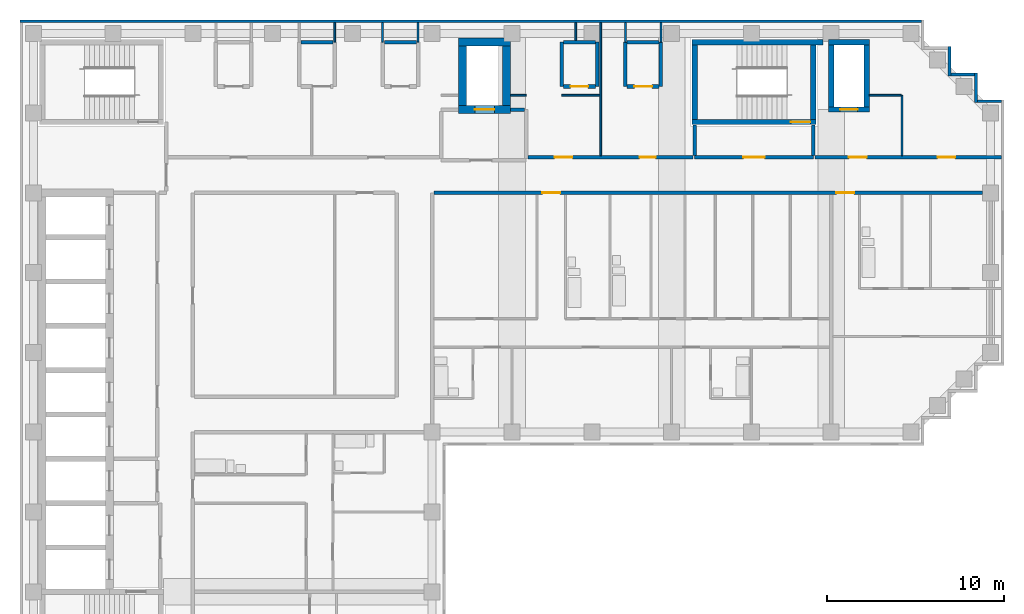
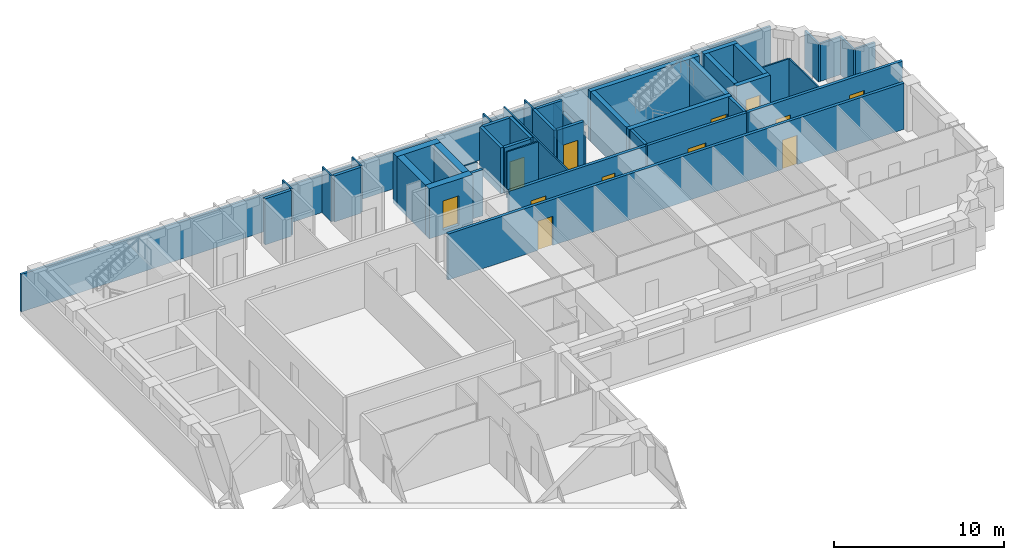
# One storey, part 6 of 9: 45 walls, 12 doors, 12 openings.
"""IFC4 building model written with IfcOpenShell, lengths in metres."""

from ifc_helpers import new_model, si_unit, direction, frame, frame_2d, origin, place, context, subcontext, project, spatial, rectangle, extrude, material, layer, layer_set, type_object, element, fill, save


model = new_model("IFC4")

# Units and contexts
model_context = context("Model", 3, precision=1e-05, world=origin(), true_north=direction((0.0, 1.0)))
body_context = subcontext(model_context, "Body", "Model", "MODEL_VIEW")
ifc_project = project(units=[si_unit("LENGTHUNIT", "METRE"), si_unit("AREAUNIT", "SQUARE_METRE"), si_unit("VOLUMEUNIT", "CUBIC_METRE"), si_unit("PLANEANGLEUNIT", "RADIAN"), si_unit("MASSUNIT", "GRAM", prefix="KILO")], contexts=[model_context])

# Site, building, storey
site_placement = place(None, origin())
site = spatial("IfcSite", under=ifc_project, at=site_placement, CompositionType="ELEMENT")
building_placement = place(site_placement, origin())
building = spatial("IfcBuilding", under=site, at=building_placement, Name="Firuza Court", CompositionType="ELEMENT")
storey_placement = place(building_placement, frame((0.0, 0.0, 225.800048828125)))
storey = spatial("IfcBuildingStorey", under=building, at=storey_placement, Name="L58", CompositionType="ELEMENT", Elevation=225.800048828125)

# Wall, opening, door
ifc_material_1 = material(Name="Concrete C50/60", Category="concrete")
ifc_layer_1 = layer(ifc_material_1, 0.300048828125)
ifc_layer_set_1 = layer_set([ifc_layer_1], Name="Concrete C50/60")
wall_type_1 = type_object("IfcWallType", Name="Core wall 300 C50/60", PredefinedType="SHEAR", material=ifc_layer_set_1)
wall_1_placement = place(storey_placement, frame((37.14990234375, 53.5, -0.300048828125), z_axis=(0.0, 0.0, 1.0), x_axis=(1.0, 0.0, 0.0)))
wall_1 = element("IfcWall", 1, at=wall_1_placement, inside=storey, type_object=wall_type_1, Name="Core wall stair L58", PredefinedType="SHEAR", context=body_context, shape_type="SweptSolid", body=[
    extrude(rectangle(XDim=7.0, YDim=0.300048828125, at=frame_2d((3.5, 0.0))), origin(), (0.0, 0.0, 1.0), 3.60009765625),
])
opening_1_placement = place(wall_1_placement, frame((5.580078125, 0.0, 0.300048828125)))
opening_1 = element("IfcOpeningElement", 2, at=opening_1_placement, cuts=wall_1, Name="Opening D58009", PredefinedType="OPENING", context=body_context, shape_type="SweptSolid", body=[
    extrude(rectangle(XDim=1.10009765625, YDim=2.10009765625, at=frame_2d((0.550048828125, 1.050048828125))), frame((0.0, 0.162109375, 0.0), z_axis=(0.0, -1.0, 0.0), x_axis=(1.0, 0.0, 0.0)), (0.0, 0.0, 1.0), 0.323974609375),
])
ifc_material_2 = material(Name="Timber door leaf in hardwood frame", Category="wood")
door_type_1 = type_object("IfcDoorType", Name="Stair door 1100", OperationType="SINGLE_SWING_LEFT", PredefinedType="DOOR", material=ifc_material_2)
door_1_placement = place(opening_1_placement, origin())
door_1 = element("IfcDoor", 3, at=door_1_placement, inside=storey, type_object=door_type_1, Name="Stair door S1", OperationType="SINGLE_SWING_RIGHT", OverallHeight=2.10009765625, OverallWidth=1.10009765625, PredefinedType="DOOR", context=body_context, shape_type="SweptSolid", body=[
    extrude(rectangle(XDim=1.10009765625, YDim=2.10009765625, at=frame_2d((0.550048828125, 1.050048828125))), frame((0.0, 0.02490234375, 0.0), z_axis=(0.0, -1.0, 0.0), x_axis=(1.0, 0.0, 0.0)), (0.0, 0.0, 1.0), 0.050048828125),
])
fill(opening_1, door_1)

# Walls
wall_2_placement = place(storey_placement, frame((37.14990234375, 58.0, -0.300048828125), z_axis=(0.0, 0.0, 1.0), x_axis=(1.0, 0.0, 0.0)))
element("IfcWall", 4, at=wall_2_placement, inside=storey, type_object=wall_type_1, Name="Core wall stair L58", PredefinedType="SHEAR", context=body_context, shape_type="SweptSolid", body=[
    extrude(rectangle(XDim=7.400146484375, YDim=0.300048828125, at=frame_2d((3.7001953125, 0.0))), origin(), (0.0, 0.0, 1.0), 3.60009765625),
])
for number, where, z_axis, x_axis, name in (
    (5, (37.300048828125, 53.64990234375, -0.300048828125), (0.0, 0.0, 1.0), (0.0, 1.0, 0.0), "Core wall stair L58"),
    (6, (44.0, 53.64990234375, -0.300048828125), (0.0, 0.0, 1.0), (0.0, 1.0, 0.0), "Core wall stair L58"),
):
    element("IfcWall", number, at=place(storey_placement, frame(where, z_axis=z_axis, x_axis=x_axis)), inside=storey, type_object=wall_type_1, Name=name, PredefinedType="SHEAR", context=body_context, shape_type="SweptSolid", body=[
        extrude(rectangle(XDim=4.2001953125, YDim=0.300048828125, at=frame_2d((2.10009765625, 0.0))), origin(), (0.0, 0.0, 1.0), 3.60009765625),
    ])

# Wall, opening, door
wall_3_placement = place(storey_placement, frame((44.85009765625, 54.199951171875, -0.300048828125), z_axis=(0.0, 0.0, 1.0), x_axis=(1.0, 0.0, 0.0)))
wall_3 = element("IfcWall", 7, at=wall_3_placement, inside=storey, type_object=wall_type_1, Name="Core wall riser L58", PredefinedType="SHEAR", context=body_context, shape_type="SweptSolid", body=[
    extrude(rectangle(XDim=2.2998046875, YDim=0.300048828125, at=frame_2d((1.14990234375, 0.0))), origin(), (0.0, 0.0, 1.0), 3.60009765625),
])
opening_2_placement = place(wall_3_placement, frame((0.64990234375, 0.0, 0.300048828125)))
opening_2 = element("IfcOpeningElement", 8, at=opening_2_placement, cuts=wall_3, Name="Opening D58008", PredefinedType="OPENING", context=body_context, shape_type="SweptSolid", body=[
    extrude(rectangle(XDim=1.0, YDim=2.10009765625, at=frame_2d((0.5, 1.050048828125))), frame((0.0, 0.162109375, 0.0), z_axis=(0.0, -1.0, 0.0), x_axis=(1.0, 0.0, 0.0)), (0.0, 0.0, 1.0), 0.323974609375),
])
ifc_material_3 = material(Name="Timber door leaf in hardwood frame", Category="wood")
door_type_2 = type_object("IfcDoorType", Name="Riser door 1000", OperationType="SINGLE_SWING_LEFT", PredefinedType="DOOR", material=ifc_material_3)
door_2_placement = place(opening_2_placement, origin())
door_2 = element("IfcDoor", 9, at=door_2_placement, inside=storey, type_object=door_type_2, Name="Riser door R3", OperationType="SINGLE_SWING_LEFT", OverallHeight=2.10009765625, OverallWidth=1.0, PredefinedType="DOOR", context=body_context, shape_type="SweptSolid", body=[
    extrude(rectangle(XDim=1.0, YDim=2.10009765625, at=frame_2d((0.5, 1.050048828125))), frame((0.0, 0.02490234375, 0.0), z_axis=(0.0, -1.0, 0.0), x_axis=(1.0, 0.0, 0.0)), (0.0, 0.0, 1.0), 0.050048828125),
])
fill(opening_2, door_2)

# Walls
wall_4_placement = place(storey_placement, frame((44.85009765625, 58.0, -0.300048828125), z_axis=(0.0, 0.0, 1.0), x_axis=(1.0, 0.0, 0.0)))
element("IfcWall", 10, at=wall_4_placement, inside=storey, type_object=wall_type_1, Name="Core wall riser L58", PredefinedType="SHEAR", context=body_context, shape_type="SweptSolid", body=[
    extrude(rectangle(XDim=2.2998046875, YDim=0.300048828125, at=frame_2d((1.14990234375, 0.0))), origin(), (0.0, 0.0, 1.0), 3.60009765625),
])
for number, where, z_axis, x_axis, name in (
    (11, (45.0, 54.35009765625, -0.300048828125), (0.0, 0.0, 1.0), (0.0, 1.0, 0.0), "Core wall riser L58"),
    (12, (47.0, 54.35009765625, -0.300048828125), (0.0, 0.0, 1.0), (0.0, 1.0, 0.0), "Core wall riser L58"),
):
    element("IfcWall", number, at=place(storey_placement, frame(where, z_axis=z_axis, x_axis=x_axis)), inside=storey, type_object=wall_type_1, Name=name, PredefinedType="SHEAR", context=body_context, shape_type="SweptSolid", body=[
        extrude(rectangle(XDim=3.5, YDim=0.300048828125, at=frame_2d((1.75, 0.0))), origin(), (0.0, 0.0, 1.0), 3.60009765625),
    ])

# Wall, opening, door
ifc_layer_2 = layer(ifc_material_1, 0.449951171875)
ifc_layer_set_2 = layer_set([ifc_layer_2], Name="Concrete C50/60")
wall_type_2 = type_object("IfcWallType", Name="Core wall 450 C50/60", PredefinedType="SHEAR", material=ifc_layer_set_2)
wall_5_placement = place(storey_placement, frame((23.97509765625, 54.199951171875, -0.300048828125), z_axis=(0.0, 0.0, 1.0), x_axis=(1.0, 0.0, 0.0)))
wall_5 = element("IfcWall", 13, at=wall_5_placement, inside=storey, type_object=wall_type_2, Name="Core wall lift shaft L58", PredefinedType="SHEAR", context=body_context, shape_type="SweptSolid", body=[
    extrude(rectangle(XDim=2.949951171875, YDim=0.449951171875, at=frame_2d((1.47509765625, 0.0))), origin(), (0.0, 0.0, 1.0), 3.60009765625),
])
opening_3_placement = place(wall_5_placement, frame((0.925048828125, 0.0, 0.300048828125)))
opening_3 = element("IfcOpeningElement", 14, at=opening_3_placement, cuts=wall_5, Name="Opening LD-FL3-58", PredefinedType="OPENING", context=body_context, shape_type="SweptSolid", body=[
    extrude(rectangle(XDim=1.10009765625, YDim=2.10009765625, at=frame_2d((0.550048828125, 1.050048828125))), frame((0.0, 0.23681640625, 0.0), z_axis=(0.0, -1.0, 0.0), x_axis=(1.0, 0.0, 0.0)), (0.0, 0.0, 1.0), 0.473876953125),
])
ifc_material_4 = material(Name="Stainless steel 1.4301 door leaf", Category="steel")
door_type_3 = type_object("IfcDoorType", Name="Lift landing door 1100", OperationType="SLIDING_TO_LEFT", PredefinedType="DOOR", material=ifc_material_4)
door_3_placement = place(opening_3_placement, origin())
door_3 = element("IfcDoor", 15, at=door_3_placement, inside=storey, type_object=door_type_3, Name="Landing door FL3", OperationType="SLIDING_TO_LEFT", OverallHeight=2.10009765625, OverallWidth=1.10009765625, PredefinedType="DOOR", context=body_context, shape_type="SweptSolid", body=[
    extrude(rectangle(XDim=1.10009765625, YDim=2.10009765625, at=frame_2d((0.550048828125, 1.050048828125))), frame((0.0, 0.02490234375, 0.0), z_axis=(0.0, -1.0, 0.0), x_axis=(1.0, 0.0, 0.0)), (0.0, 0.0, 1.0), 0.050048828125),
])
fill(opening_3, door_3)

# Walls
wall_6_placement = place(storey_placement, frame((23.97509765625, 58.0, -0.300048828125), z_axis=(0.0, 0.0, 1.0), x_axis=(1.0, 0.0, 0.0)))
element("IfcWall", 16, at=wall_6_placement, inside=storey, type_object=wall_type_2, Name="Core wall lift shaft L58", PredefinedType="SHEAR", context=body_context, shape_type="SweptSolid", body=[
    extrude(rectangle(XDim=2.949951171875, YDim=0.449951171875, at=frame_2d((1.47509765625, 0.0))), origin(), (0.0, 0.0, 1.0), 3.60009765625),
])
for number, where, z_axis, x_axis, name in (
    (17, (24.199951171875, 54.425048828125, -0.300048828125), (0.0, 0.0, 1.0), (0.0, 1.0, 0.0), "Core wall lift shaft L58"),
    (18, (26.699951171875, 54.425048828125, -0.300048828125), (0.0, 0.0, 1.0), (0.0, 1.0, 0.0), "Core wall lift shaft L58"),
):
    element("IfcWall", number, at=place(storey_placement, frame(where, z_axis=z_axis, x_axis=x_axis)), inside=storey, type_object=wall_type_2, Name=name, PredefinedType="SHEAR", context=body_context, shape_type="SweptSolid", body=[
        extrude(rectangle(XDim=3.349853515625, YDim=0.449951171875, at=frame_2d((1.6748046875, 0.0))), origin(), (0.0, 0.0, 1.0), 3.60009765625),
    ])

# Wall, openings, doors
ifc_material_5 = material(Name="Blockwork, plastered both sides", Category="masonry")
ifc_layer_3 = layer(ifc_material_5, 0.199951171875)
ifc_layer_set_3 = layer_set([ifc_layer_3], Name="Blockwork, plastered both sides")
wall_type_3 = type_object("IfcWallType", Name="Corridor wall 200", PredefinedType="PARTITIONING", material=ifc_layer_set_3)
wall_7_placement = place(storey_placement, frame((22.60009765625, 49.5, 0.0), z_axis=(0.0, 0.0, 1.0), x_axis=(1.0, 0.0, 0.0)))
wall_7 = element("IfcWall", 19, at=wall_7_placement, inside=storey, type_object=wall_type_3, Name="Corridor wall 200 L58", PredefinedType="PARTITIONING", context=body_context, shape_type="SweptSolid", body=[
    extrude(rectangle(XDim=30.949951171875, YDim=0.199951171875, at=frame_2d((15.47509765625, 0.0))), origin(), (0.0, 0.0, 1.0), 3.300048828125),
])
opening_4_placement = place(wall_7_placement, frame((6.115478515625, 0.0, 0.0)))
opening_4 = element("IfcOpeningElement", 20, at=opening_4_placement, cuts=wall_7, Name="Opening D58046", PredefinedType="OPENING", context=body_context, shape_type="SweptSolid", body=[
    extrude(rectangle(XDim=1.0, YDim=2.10009765625, at=frame_2d((0.5, 1.050048828125))), frame((0.0, 0.11181640625, 0.0), z_axis=(0.0, -1.0, 0.0), x_axis=(1.0, 0.0, 0.0)), (0.0, 0.0, 1.0), 0.223876953125),
])
opening_5_placement = place(wall_7_placement, frame((22.699951171875, 0.0, 0.0)))
opening_5 = element("IfcOpeningElement", 21, at=opening_5_placement, cuts=wall_7, Name="Opening D58047", PredefinedType="OPENING", context=body_context, shape_type="SweptSolid", body=[
    extrude(rectangle(XDim=1.0, YDim=2.10009765625, at=frame_2d((0.5, 1.050048828125))), frame((0.0, 0.11181640625, 0.0), z_axis=(0.0, -1.0, 0.0), x_axis=(1.0, 0.0, 0.0)), (0.0, 0.0, 1.0), 0.223876953125),
])
ifc_material_6 = material(Name="Timber door leaf in hardwood frame", Category="wood")
door_type_4 = type_object("IfcDoorType", Name="Flat entrance door 1000", OperationType="SINGLE_SWING_LEFT", PredefinedType="DOOR", material=ifc_material_6)
door_4_placement = place(opening_4_placement, origin())
door_4 = element("IfcDoor", 22, at=door_4_placement, inside=storey, type_object=door_type_4, Name="Flat entrance door", OperationType="SINGLE_SWING_LEFT", OverallHeight=2.10009765625, OverallWidth=1.0, PredefinedType="DOOR", context=body_context, shape_type="SweptSolid", body=[
    extrude(rectangle(XDim=1.0, YDim=2.10009765625, at=frame_2d((0.5, 1.050048828125))), frame((0.0, 0.02490234375, 0.0), z_axis=(0.0, -1.0, 0.0), x_axis=(1.0, 0.0, 0.0)), (0.0, 0.0, 1.0), 0.050048828125),
])
fill(opening_4, door_4)
door_5_placement = place(opening_5_placement, origin())
door_5 = element("IfcDoor", 23, at=door_5_placement, inside=storey, type_object=door_type_4, Name="Flat entrance door", OperationType="SINGLE_SWING_LEFT", OverallHeight=2.10009765625, OverallWidth=1.0, PredefinedType="DOOR", context=body_context, shape_type="SweptSolid", body=[
    extrude(rectangle(XDim=1.0, YDim=2.10009765625, at=frame_2d((0.5, 1.050048828125))), frame((0.0, 0.02490234375, 0.0), z_axis=(0.0, -1.0, 0.0), x_axis=(1.0, 0.0, 0.0)), (0.0, 0.0, 1.0), 0.050048828125),
])
fill(opening_5, door_5)

wall_8_placement = place(storey_placement, frame((27.89990234375, 51.5, 0.0), z_axis=(0.0, 0.0, 1.0), x_axis=(1.0, 0.0, 0.0)))
wall_8 = element("IfcWall", 24, at=wall_8_placement, inside=storey, type_object=wall_type_3, Name="Corridor wall 200 L58", PredefinedType="PARTITIONING", context=body_context, shape_type="SweptSolid", body=[
    extrude(rectangle(XDim=9.300048828125, YDim=0.199951171875, at=frame_2d((4.64990234375, 0.0))), origin(), (0.0, 0.0, 1.0), 3.300048828125),
])
opening_6_placement = place(wall_8_placement, frame((1.5, 0.0, 0.0)))
opening_6 = element("IfcOpeningElement", 25, at=opening_6_placement, cuts=wall_8, Name="Opening D58050", PredefinedType="OPENING", context=body_context, shape_type="SweptSolid", body=[
    extrude(rectangle(XDim=1.0, YDim=2.10009765625, at=frame_2d((0.5, 1.050048828125))), frame((0.0, 0.11181640625, 0.0), z_axis=(0.0, -1.0, 0.0), x_axis=(1.0, 0.0, 0.0)), (0.0, 0.0, 1.0), 0.223876953125),
])
opening_7_placement = place(wall_8_placement, frame((6.300048828125, 0.0, 0.0)))
opening_7 = element("IfcOpeningElement", 26, at=opening_7_placement, cuts=wall_8, Name="Opening D58051", PredefinedType="OPENING", context=body_context, shape_type="SweptSolid", body=[
    extrude(rectangle(XDim=0.89990234375, YDim=2.10009765625, at=frame_2d((0.449951171875, 1.050048828125))), frame((0.0, 0.11181640625, 0.0), z_axis=(0.0, -1.0, 0.0), x_axis=(1.0, 0.0, 0.0)), (0.0, 0.0, 1.0), 0.223876953125),
])
ifc_material_7 = material(Name="Timber door leaf in hardwood frame", Category="wood")
door_type_5 = type_object("IfcDoorType", Name="Room door 900 EI 30", OperationType="SINGLE_SWING_LEFT", PredefinedType="DOOR", material=ifc_material_7)
door_6_placement = place(opening_7_placement, origin())
door_6 = element("IfcDoor", 27, at=door_6_placement, inside=storey, type_object=door_type_5, Name="Staff pantry door", OperationType="SINGLE_SWING_LEFT", OverallHeight=2.10009765625, OverallWidth=0.89990234375, PredefinedType="DOOR", context=body_context, shape_type="SweptSolid", body=[
    extrude(rectangle(XDim=0.89990234375, YDim=2.10009765625, at=frame_2d((0.449951171875, 1.050048828125))), frame((0.0, 0.02490234375, 0.0), z_axis=(0.0, -1.0, 0.0), x_axis=(1.0, 0.0, 0.0)), (0.0, 0.0, 1.0), 0.050048828125),
])
fill(opening_7, door_6)
ifc_material_8 = material(Name="Timber door leaf in hardwood frame", Category="wood")
door_type_6 = type_object("IfcDoorType", Name="Store door 1000", OperationType="SINGLE_SWING_LEFT", PredefinedType="DOOR", material=ifc_material_8)
door_7_placement = place(opening_6_placement, origin())
door_7 = element("IfcDoor", 28, at=door_7_placement, inside=storey, type_object=door_type_6, Name="Parcel room door", OperationType="SINGLE_SWING_LEFT", OverallHeight=2.10009765625, OverallWidth=1.0, PredefinedType="DOOR", context=body_context, shape_type="SweptSolid", body=[
    extrude(rectangle(XDim=1.0, YDim=2.10009765625, at=frame_2d((0.5, 1.050048828125))), frame((0.0, 0.02490234375, 0.0), z_axis=(0.0, -1.0, 0.0), x_axis=(1.0, 0.0, 0.0)), (0.0, 0.0, 1.0), 0.050048828125),
])
fill(opening_6, door_7)

wall_9_placement = place(storey_placement, frame((44.10009765625, 51.5, 0.0), z_axis=(0.0, 0.0, 1.0), x_axis=(1.0, 0.0, 0.0)))
wall_9 = element("IfcWall", 29, at=wall_9_placement, inside=storey, type_object=wall_type_3, Name="Corridor wall 200 L58", PredefinedType="PARTITIONING", context=body_context, shape_type="SweptSolid", body=[
    extrude(rectangle(XDim=10.5, YDim=0.199951171875, at=frame_2d((5.25, 0.0))), origin(), (0.0, 0.0, 1.0), 3.300048828125),
])
opening_8_placement = place(wall_9_placement, frame((1.89990234375, 0.0, 0.0)))
opening_8 = element("IfcOpeningElement", 30, at=opening_8_placement, cuts=wall_9, Name="Opening D58052", PredefinedType="OPENING", context=body_context, shape_type="SweptSolid", body=[
    extrude(rectangle(XDim=1.0, YDim=2.10009765625, at=frame_2d((0.5, 1.050048828125))), frame((0.0, 0.11181640625, 0.0), z_axis=(0.0, -1.0, 0.0), x_axis=(1.0, 0.0, 0.0)), (0.0, 0.0, 1.0), 0.223876953125),
])
opening_9_placement = place(wall_9_placement, frame((6.89990234375, 0.0, 0.0)))
opening_9 = element("IfcOpeningElement", 31, at=opening_9_placement, cuts=wall_9, Name="Opening D58053", PredefinedType="OPENING", context=body_context, shape_type="SweptSolid", body=[
    extrude(rectangle(XDim=1.0, YDim=2.10009765625, at=frame_2d((0.5, 1.050048828125))), frame((0.0, 0.11181640625, 0.0), z_axis=(0.0, -1.0, 0.0), x_axis=(1.0, 0.0, 0.0)), (0.0, 0.0, 1.0), 0.223876953125),
])
door_8_placement = place(opening_8_placement, origin())
door_8 = element("IfcDoor", 32, at=door_8_placement, inside=storey, type_object=door_type_6, Name="Cleaner's store door", OperationType="SINGLE_SWING_LEFT", OverallHeight=2.10009765625, OverallWidth=1.0, PredefinedType="DOOR", context=body_context, shape_type="SweptSolid", body=[
    extrude(rectangle(XDim=1.0, YDim=2.10009765625, at=frame_2d((0.5, 1.050048828125))), frame((0.0, 0.02490234375, 0.0), z_axis=(0.0, -1.0, 0.0), x_axis=(1.0, 0.0, 0.0)), (0.0, 0.0, 1.0), 0.050048828125),
])
fill(opening_8, door_8)
door_9_placement = place(opening_9_placement, origin())
door_9 = element("IfcDoor", 33, at=door_9_placement, inside=storey, type_object=door_type_6, Name="Bicycle store door", OperationType="SINGLE_SWING_LEFT", OverallHeight=2.10009765625, OverallWidth=1.0, PredefinedType="DOOR", context=body_context, shape_type="SweptSolid", body=[
    extrude(rectangle(XDim=1.0, YDim=2.10009765625, at=frame_2d((0.5, 1.050048828125))), frame((0.0, 0.02490234375, 0.0), z_axis=(0.0, -1.0, 0.0), x_axis=(1.0, 0.0, 0.0)), (0.0, 0.0, 1.0), 0.050048828125),
])
fill(opening_9, door_9)

# Walls
ifc_material_9 = material(Name="Timber stud partition, plasterboard both sides", Category="wood")
ifc_layer_4 = layer(ifc_material_9, 0.10009765625)
ifc_layer_set_4 = layer_set([ifc_layer_4], Name="Timber stud partition, plasterboard both sides")
wall_type_4 = type_object("IfcWallType", Name="Partition wall 100", PredefinedType="PARTITIONING", material=ifc_layer_set_4)
wall_10_placement = place(storey_placement, frame((32.0, 51.60009765625, 0.0), z_axis=(0.0, 0.0, 1.0), x_axis=(0.0, 1.0, 0.0)))
element("IfcWall", 34, at=wall_10_placement, inside=storey, type_object=wall_type_4, Name="Partition wall 100 L58", PredefinedType="PARTITIONING", context=body_context, shape_type="SweptSolid", body=[
    extrude(rectangle(XDim=7.5, YDim=0.10009765625, at=frame_2d((3.75, 0.0))), origin(), (0.0, 0.0, 1.0), 3.300048828125),
])
wall_11_placement = place(storey_placement, frame((49.0, 51.60009765625, 0.0), z_axis=(0.0, 0.0, 1.0), x_axis=(0.0, 1.0, 0.0)))
element("IfcWall", 35, at=wall_11_placement, inside=storey, type_object=wall_type_4, Name="Partition wall 100 L58", PredefinedType="PARTITIONING", context=body_context, shape_type="SweptSolid", body=[
    extrude(rectangle(XDim=3.39990234375, YDim=0.10009765625, at=frame_2d((1.699951171875, 0.0))), origin(), (0.0, 0.0, 1.0), 3.300048828125),
])
wall_12_placement = place(storey_placement, frame((26.925048828125, 55.0, 0.0), z_axis=(0.0, 0.0, 1.0), x_axis=(1.0, 0.0, 0.0)))
element("IfcWall", 36, at=wall_12_placement, inside=storey, type_object=wall_type_4, Name="Partition wall 100 L58", PredefinedType="PARTITIONING", context=body_context, shape_type="SweptSolid", body=[
    extrude(rectangle(XDim=0.875, YDim=0.10009765625, at=frame_2d((0.4375, 0.0))), origin(), (0.0, 0.0, 1.0), 3.300048828125),
])
wall_13_placement = place(storey_placement, frame((29.800048828125, 55.0, 0.0), z_axis=(0.0, 0.0, 1.0), x_axis=(1.0, 0.0, 0.0)))
element("IfcWall", 37, at=wall_13_placement, inside=storey, type_object=wall_type_4, Name="Partition wall 100 L58", PredefinedType="PARTITIONING", context=body_context, shape_type="SweptSolid", body=[
    extrude(rectangle(XDim=2.14990234375, YDim=0.10009765625, at=frame_2d((1.074951171875, 0.0))), origin(), (0.0, 0.0, 1.0), 3.300048828125),
])
wall_14_placement = place(storey_placement, frame((47.14990234375, 55.0, 0.0), z_axis=(0.0, 0.0, 1.0), x_axis=(1.0, 0.0, 0.0)))
element("IfcWall", 38, at=wall_14_placement, inside=storey, type_object=wall_type_4, Name="Partition wall 100 L58", PredefinedType="PARTITIONING", context=body_context, shape_type="SweptSolid", body=[
    extrude(rectangle(XDim=1.800048828125, YDim=0.10009765625, at=frame_2d((0.89990234375, 0.0))), origin(), (0.0, 0.0, 1.0), 3.300048828125),
])
for number, where, z_axis, x_axis, name in (
    (39, (17.0, 58.0, 0.0), (0.0, 0.0, 1.0), (0.0, 1.0, 0.0), "Partition wall 100 L58"),
    (40, (19.699951171875, 58.0, 0.0), (0.0, 0.0, 1.0), (0.0, 1.0, 0.0), "Partition wall 100 L58"),
    (41, (21.699951171875, 58.0, 0.0), (0.0, 0.0, 1.0), (0.0, 1.0, 0.0), "Partition wall 100 L58"),
    (42, (33.39990234375, 58.0, 0.0), (0.0, 0.0, 1.0), (0.0, 1.0, 0.0), "Partition wall 100 L58"),
):
    element("IfcWall", number, at=place(storey_placement, frame(where, z_axis=z_axis, x_axis=x_axis)), inside=storey, type_object=wall_type_4, Name=name, PredefinedType="PARTITIONING", context=body_context, shape_type="SweptSolid", body=[
        extrude(rectangle(XDim=1.10009765625, YDim=0.10009765625, at=frame_2d((0.550048828125, 0.0))), origin(), (0.0, 0.0, 1.0), 3.300048828125),
    ])
wall_15_placement = place(storey_placement, frame((35.39990234375, 58.0, 0.0), z_axis=(0.0, 0.0, 1.0), x_axis=(0.0, 1.0, 0.0)))
element("IfcWall", 43, at=wall_15_placement, inside=storey, type_object=wall_type_4, Name="Partition wall 100 L58", PredefinedType="PARTITIONING", context=body_context, shape_type="SweptSolid", body=[
    extrude(rectangle(XDim=1.10009765625, YDim=0.10009765625, at=frame_2d((0.550048828125, 0.0))), origin(), (0.0, 0.0, 1.0), 2.39990234375),
])
wall_16_placement = place(storey_placement, frame((30.60009765625, 58.10009765625, 0.0), z_axis=(0.0, 0.0, 1.0), x_axis=(0.0, 1.0, 0.0)))
element("IfcWall", 44, at=wall_16_placement, inside=storey, type_object=wall_type_4, Name="Partition wall 100 L58", PredefinedType="PARTITIONING", context=body_context, shape_type="SweptSolid", body=[
    extrude(rectangle(XDim=1.0, YDim=0.10009765625, at=frame_2d((0.5, 0.0))), origin(), (0.0, 0.0, 1.0), 3.300048828125),
])
ifc_material_10 = material(Name="Blockwork, fire-rated", Category="masonry")
ifc_layer_5 = layer(ifc_material_10, 0.199951171875)
ifc_layer_set_5 = layer_set([ifc_layer_5], Name="Blockwork, fire-rated")
wall_type_5 = type_object("IfcWallType", Name="Plant room wall 200", PredefinedType="PARTITIONING", material=ifc_layer_set_5)
wall_17_placement = place(storey_placement, frame((29.800048828125, 55.5, 0.0), z_axis=(0.0, 0.0, 1.0), x_axis=(0.0, 1.0, 0.0)))
element("IfcWall", 45, at=wall_17_placement, inside=storey, type_object=wall_type_5, Name="Plant room wall 200 L58", PredefinedType="PARTITIONING", context=body_context, shape_type="SweptSolid", body=[
    extrude(rectangle(XDim=2.5, YDim=0.199951171875, at=frame_2d((1.25, 0.0))), origin(), (0.0, 0.0, 1.0), 3.300048828125),
])

# Wall, opening, door
wall_18_placement = place(storey_placement, frame((29.89990234375, 55.5, 0.0), z_axis=(0.0, 0.0, 1.0), x_axis=(1.0, 0.0, 0.0)))
wall_18 = element("IfcWall", 46, at=wall_18_placement, inside=storey, type_object=wall_type_5, Name="Plant room wall 200 L58", PredefinedType="PARTITIONING", context=body_context, shape_type="SweptSolid", body=[
    extrude(rectangle(XDim=1.800048828125, YDim=0.199951171875, at=frame_2d((0.89990234375, 0.0))), origin(), (0.0, 0.0, 1.0), 3.300048828125),
])
opening_10_placement = place(wall_18_placement, frame((0.39990234375, 0.0, 0.0)))
opening_10 = element("IfcOpeningElement", 47, at=opening_10_placement, cuts=wall_18, Name="Opening D58057", PredefinedType="OPENING", context=body_context, shape_type="SweptSolid", body=[
    extrude(rectangle(XDim=1.0, YDim=2.10009765625, at=frame_2d((0.5, 1.050048828125))), frame((0.0, 0.11181640625, 0.0), z_axis=(0.0, -1.0, 0.0), x_axis=(1.0, 0.0, 0.0)), (0.0, 0.0, 1.0), 0.223876953125),
])
door_10_placement = place(opening_10_placement, origin())
door_10 = element("IfcDoor", 48, at=door_10_placement, inside=storey, type_object=door_type_2, Name="Electrical riser door", OperationType="SINGLE_SWING_LEFT", OverallHeight=2.10009765625, OverallWidth=1.0, PredefinedType="DOOR", context=body_context, shape_type="SweptSolid", body=[
    extrude(rectangle(XDim=1.0, YDim=2.10009765625, at=frame_2d((0.5, 1.050048828125))), frame((0.0, 0.02490234375, 0.0), z_axis=(0.0, -1.0, 0.0), x_axis=(1.0, 0.0, 0.0)), (0.0, 0.0, 1.0), 0.050048828125),
])
fill(opening_10, door_10)

# Walls
for number, where, z_axis, x_axis, name in (
    (49, (31.800048828125, 55.5, 0.0), (0.0, 0.0, 1.0), (0.0, 1.0, 0.0), "Plant room wall 200 L58"),
    (50, (33.39990234375, 55.5, 0.0), (0.0, 0.0, 1.0), (0.0, 1.0, 0.0), "Plant room wall 200 L58"),
):
    element("IfcWall", number, at=place(storey_placement, frame(where, z_axis=z_axis, x_axis=x_axis)), inside=storey, type_object=wall_type_5, Name=name, PredefinedType="PARTITIONING", context=body_context, shape_type="SweptSolid", body=[
        extrude(rectangle(XDim=2.5, YDim=0.199951171875, at=frame_2d((1.25, 0.0))), origin(), (0.0, 0.0, 1.0), 3.300048828125),
    ])

# Wall, opening, door
wall_19_placement = place(storey_placement, frame((33.5, 55.5, 0.0), z_axis=(0.0, 0.0, 1.0), x_axis=(1.0, 0.0, 0.0)))
wall_19 = element("IfcWall", 51, at=wall_19_placement, inside=storey, type_object=wall_type_5, Name="Plant room wall 200 L58", PredefinedType="PARTITIONING", context=body_context, shape_type="SweptSolid", body=[
    extrude(rectangle(XDim=1.800048828125, YDim=0.199951171875, at=frame_2d((0.89990234375, 0.0))), origin(), (0.0, 0.0, 1.0), 3.300048828125),
])
opening_11_placement = place(wall_19_placement, frame((0.39990234375, 0.0, 0.0)))
opening_11 = element("IfcOpeningElement", 52, at=opening_11_placement, cuts=wall_19, Name="Opening D58058", PredefinedType="OPENING", context=body_context, shape_type="SweptSolid", body=[
    extrude(rectangle(XDim=1.0, YDim=2.10009765625, at=frame_2d((0.5, 1.050048828125))), frame((0.0, 0.11181640625, 0.0), z_axis=(0.0, -1.0, 0.0), x_axis=(1.0, 0.0, 0.0)), (0.0, 0.0, 1.0), 0.223876953125),
])
door_11_placement = place(opening_11_placement, origin())
door_11 = element("IfcDoor", 53, at=door_11_placement, inside=storey, type_object=door_type_2, Name="Duct riser door", OperationType="SINGLE_SWING_LEFT", OverallHeight=2.10009765625, OverallWidth=1.0, PredefinedType="DOOR", context=body_context, shape_type="SweptSolid", body=[
    extrude(rectangle(XDim=1.0, YDim=2.10009765625, at=frame_2d((0.5, 1.050048828125))), frame((0.0, 0.02490234375, 0.0), z_axis=(0.0, -1.0, 0.0), x_axis=(1.0, 0.0, 0.0)), (0.0, 0.0, 1.0), 0.050048828125),
])
fill(opening_11, door_11)

# Walls
wall_20_placement = place(storey_placement, frame((35.39990234375, 55.5, 0.0), z_axis=(0.0, 0.0, 1.0), x_axis=(0.0, 1.0, 0.0)))
element("IfcWall", 54, at=wall_20_placement, inside=storey, type_object=wall_type_5, Name="Plant room wall 200 L58", PredefinedType="PARTITIONING", context=body_context, shape_type="SweptSolid", body=[
    extrude(rectangle(XDim=2.5, YDim=0.199951171875, at=frame_2d((1.25, 0.0))), origin(), (0.0, 0.0, 1.0), 2.39990234375),
])
wall_21_placement = place(storey_placement, frame((15.10009765625, 58.0, 0.0), z_axis=(0.0, 0.0, 1.0), x_axis=(1.0, 0.0, 0.0)))
element("IfcWall", 55, at=wall_21_placement, inside=storey, type_object=wall_type_5, Name="Plant room wall 200 L58", PredefinedType="PARTITIONING", context=body_context, shape_type="SweptSolid", body=[
    extrude(rectangle(XDim=1.7998046875, YDim=0.199951171875, at=frame_2d((0.89990234375, 0.0))), origin(), (0.0, 0.0, 1.0), 3.300048828125),
])
for number, where, z_axis, x_axis, name in (
    (56, (19.800048828125, 58.0, 0.0), (0.0, 0.0, 1.0), (1.0, 0.0, 0.0), "Plant room wall 200 L58"),
    (57, (29.89990234375, 58.0, 0.0), (0.0, 0.0, 1.0), (1.0, 0.0, 0.0), "Plant room wall 200 L58"),
    (58, (33.5, 58.0, 0.0), (0.0, 0.0, 1.0), (1.0, 0.0, 0.0), "Plant room wall 200 L58"),
):
    element("IfcWall", number, at=place(storey_placement, frame(where, z_axis=z_axis, x_axis=x_axis)), inside=storey, type_object=wall_type_5, Name=name, PredefinedType="PARTITIONING", context=body_context, shape_type="SweptSolid", body=[
        extrude(rectangle(XDim=1.800048828125, YDim=0.199951171875, at=frame_2d((0.89990234375, 0.0))), origin(), (0.0, 0.0, 1.0), 3.300048828125),
    ])
ifc_material_11 = material(Name="Ceramic tile", Category="ceramic")
ifc_layer_6 = layer(ifc_material_11, 0.02001953125)
ifc_material_12 = material(Name="Mineral wool insulation", Category="insulation")
ifc_layer_7 = layer(ifc_material_12, 0.050048828125)
ifc_material_13 = material(Name="Concrete C40/50 precast", Category="concrete")
ifc_layer_8 = layer(ifc_material_13, 0.080078125)
ifc_layer_set_6 = layer_set([ifc_layer_6, ifc_layer_7, ifc_layer_8], Name="Concrete C40/50 precast")
wall_type_6 = type_object("IfcWallType", Name="Precast cladding wall with turquoise TILE PANEL face 150", PredefinedType="STANDARD", material=ifc_layer_set_6)
wall_22_placement = place(storey_placement, frame((54.60009765625, 54.675048828125, 0.0), z_axis=(0.0, 0.0, 1.0), x_axis=(-1.0, 0.0, 0.0)))
element("IfcWall", 59, at=wall_22_placement, inside=storey, type_object=wall_type_6, Name="Facade wall L58 N", PredefinedType="STANDARD", context=body_context, shape_type="SweptSolid", body=[
    extrude(rectangle(XDim=1.35009765625, YDim=0.14990234375, at=frame_2d((0.675048828125, 0.0))), origin(), (0.0, 0.0, 1.0), 2.699951171875),
])
wall_23_placement = place(storey_placement, frame((53.175048828125, 54.60009765625, 0.0), z_axis=(0.0, 0.0, 1.0), x_axis=(0.0, 1.0, 0.0)))
element("IfcWall", 60, at=wall_23_placement, inside=storey, type_object=wall_type_6, Name="Facade wall L58 E", PredefinedType="STANDARD", context=body_context, shape_type="SweptSolid", body=[
    extrude(rectangle(XDim=1.64990234375, YDim=0.14990234375, at=frame_2d((0.824951171875, 0.0))), origin(), (0.0, 0.0, 1.0), 2.699951171875),
])
wall_24_placement = place(storey_placement, frame((53.10009765625, 56.175048828125, 0.0), z_axis=(0.0, 0.0, 1.0), x_axis=(-1.0, 0.0, 0.0)))
element("IfcWall", 61, at=wall_24_placement, inside=storey, type_object=wall_type_6, Name="Facade wall L58 N", PredefinedType="STANDARD", context=body_context, shape_type="SweptSolid", body=[
    extrude(rectangle(XDim=1.35009765625, YDim=0.14990234375, at=frame_2d((0.675048828125, 0.0))), origin(), (0.0, 0.0, 1.0), 2.699951171875),
])
wall_25_placement = place(storey_placement, frame((51.675048828125, 56.10009765625, 0.0), z_axis=(0.0, 0.0, 1.0), x_axis=(0.0, 1.0, 0.0)))
element("IfcWall", 62, at=wall_25_placement, inside=storey, type_object=wall_type_6, Name="Facade wall L58 E", PredefinedType="STANDARD", context=body_context, shape_type="SweptSolid", body=[
    extrude(rectangle(XDim=1.64990234375, YDim=0.14990234375, at=frame_2d((0.824951171875, 0.0))), origin(), (0.0, 0.0, 1.0), 2.699951171875),
])
wall_26_placement = place(storey_placement, frame((50.10009765625, 59.175048828125, 0.0), z_axis=(0.0, 0.0, 1.0), x_axis=(-1.0, 0.0, 0.0)))
element("IfcWall", 63, at=wall_26_placement, inside=storey, type_object=wall_type_6, Name="Facade wall L58 N", PredefinedType="STANDARD", context=body_context, shape_type="SweptSolid", body=[
    extrude(rectangle(XDim=50.85009765625, YDim=0.14990234375, at=frame_2d((25.425048828125, 0.0))), origin(), (0.0, 0.0, 1.0), 2.699951171875),
])
ifc_layer_9 = layer(ifc_material_10, 0.199951171875)
ifc_layer_set_7 = layer_set([ifc_layer_9], Name="Blockwork, fire-rated")
wall_type_7 = type_object("IfcWallType", Name="Shaft wall 200", PredefinedType="PARTITIONING", material=ifc_layer_set_7)
wall_27_placement = place(storey_placement, frame((26.925048828125, 54.199951171875, 0.0), z_axis=(0.0, 0.0, 1.0), x_axis=(1.0, 0.0, 0.0)))
element("IfcWall", 64, at=wall_27_placement, inside=storey, type_object=wall_type_7, Name="Shaft wall 200 L58", PredefinedType="PARTITIONING", context=body_context, shape_type="SweptSolid", body=[
    extrude(rectangle(XDim=0.77490234375, YDim=0.199951171875, at=frame_2d((0.387451171875, 0.0))), origin(), (0.0, 0.0, 1.0), 3.300048828125),
])

# Wall, opening, door
wall_28_placement = place(storey_placement, frame((37.300048828125, 51.5, 0.0), z_axis=(0.0, 0.0, 1.0), x_axis=(1.0, 0.0, 0.0)))
wall_28 = element("IfcWall", 65, at=wall_28_placement, inside=storey, type_object=wall_type_7, Name="Shaft wall 200 L58", PredefinedType="PARTITIONING", context=body_context, shape_type="SweptSolid", body=[
    extrude(rectangle(XDim=6.699951171875, YDim=0.199951171875, at=frame_2d((3.35009765625, 0.0))), origin(), (0.0, 0.0, 1.0), 3.300048828125),
])
opening_12_placement = place(wall_28_placement, frame((2.75, 0.0, 0.0)))
opening_12 = element("IfcOpeningElement", 66, at=opening_12_placement, cuts=wall_28, Name="Opening D58006", PredefinedType="OPENING", context=body_context, shape_type="SweptSolid", body=[
    extrude(rectangle(XDim=1.199951171875, YDim=2.10009765625, at=frame_2d((0.60009765625, 1.050048828125))), frame((0.0, 0.11181640625, 0.0), z_axis=(0.0, -1.0, 0.0), x_axis=(1.0, 0.0, 0.0)), (0.0, 0.0, 1.0), 0.223876953125),
])
ifc_material_14 = material(Name="Timber door leaf in hardwood frame", Category="wood")
door_type_7 = type_object("IfcDoorType", Name="Lobby door 1200", OperationType="SINGLE_SWING_LEFT", PredefinedType="DOOR", material=ifc_material_14)
door_12_placement = place(opening_12_placement, origin())
door_12 = element("IfcDoor", 67, at=door_12_placement, inside=storey, type_object=door_type_7, Name="Lobby door", OperationType="SINGLE_SWING_LEFT", OverallHeight=2.10009765625, OverallWidth=1.199951171875, PredefinedType="DOOR", context=body_context, shape_type="SweptSolid", body=[
    extrude(rectangle(XDim=1.199951171875, YDim=2.10009765625, at=frame_2d((0.60009765625, 1.050048828125))), frame((0.0, 0.02490234375, 0.0), z_axis=(0.0, -1.0, 0.0), x_axis=(1.0, 0.0, 0.0)), (0.0, 0.0, 1.0), 0.050048828125),
])
fill(opening_12, door_12)

# Walls
for number, where, z_axis, x_axis, name in (
    (68, (44.0, 51.60009765625, 0.0), (0.0, 0.0, 1.0), (0.0, 1.0, 0.0), "Shaft wall 200 L58"),
    (69, (37.300048828125, 51.60009765625, 0.0), (0.0, 0.0, 1.0), (0.0, 1.0, 0.0), "Shaft wall 200 L58"),
):
    element("IfcWall", number, at=place(storey_placement, frame(where, z_axis=z_axis, x_axis=x_axis)), inside=storey, type_object=wall_type_7, Name=name, PredefinedType="PARTITIONING", context=body_context, shape_type="SweptSolid", body=[
        extrude(rectangle(XDim=1.72998046875, YDim=0.199951171875, at=frame_2d((0.864990234375, 0.0))), origin(), (0.0, 0.0, 1.0), 3.300048828125),
    ])

save(model, "model.ifc")
